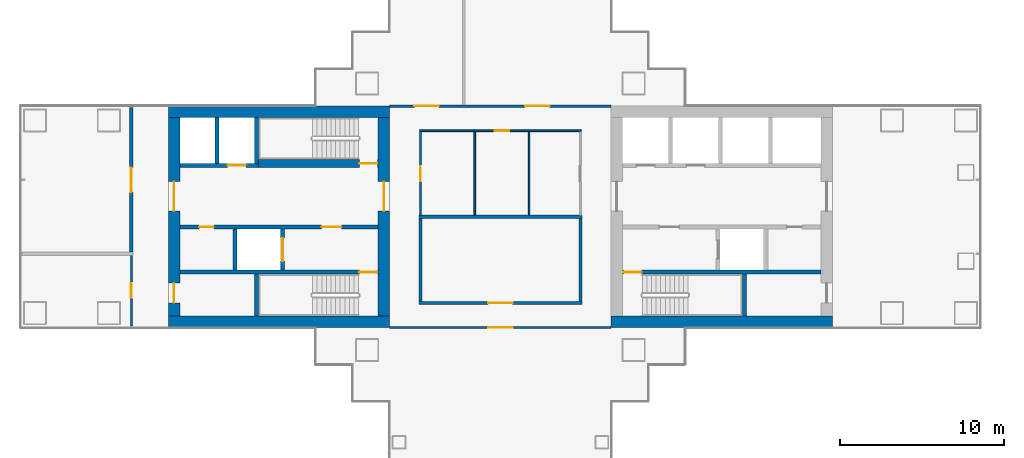
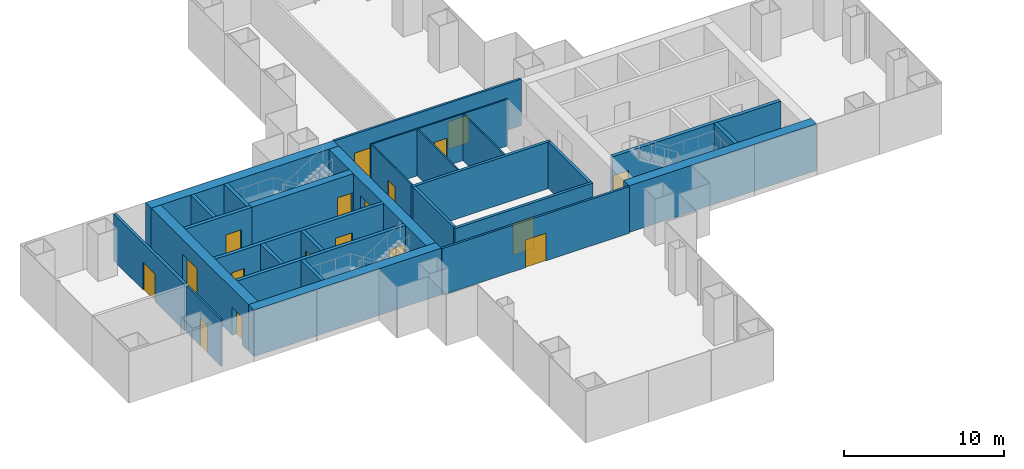
# One storey, part 14 of 22: 28 walls, 18 doors, 18 openings.
"""IFC4 building model written with IfcOpenShell, lengths in metres."""

from ifc_helpers import new_model, si_unit, direction, frame, frame_2d, origin, place, context, subcontext, project, spatial, rectangle, extrude, material, layer, layer_set, type_object, element, fill, save


model = new_model("IFC4")

# Units and contexts
model_context = context("Model", 3, precision=1e-05, world=origin(), true_north=direction((0.0, 1.0)))
body_context = subcontext(model_context, "Body", "Model", "MODEL_VIEW")
ifc_project = project(units=[si_unit("LENGTHUNIT", "METRE"), si_unit("AREAUNIT", "SQUARE_METRE"), si_unit("VOLUMEUNIT", "CUBIC_METRE"), si_unit("PLANEANGLEUNIT", "RADIAN"), si_unit("MASSUNIT", "GRAM", prefix="KILO")], contexts=[model_context])

# Site, building, storey
site_placement = place(None, origin())
site = spatial("IfcSite", under=ifc_project, at=site_placement, CompositionType="ELEMENT")
building_placement = place(site_placement, origin())
building = spatial("IfcBuilding", under=site, at=building_placement, Name="Shamsa Quay Exchange Towers", CompositionType="ELEMENT")
storey_placement = place(building_placement, frame((0.0, 0.0, 69.300048828125)))
storey = spatial("IfcBuildingStorey", under=building, at=storey_placement, Name="L15", CompositionType="ELEMENT", Elevation=69.300048828125)

# Wall, opening, door
ifc_material_1 = material(Name="Double-leaf gypsum board partition with acoustic insulation")
ifc_layer_1 = layer(ifc_material_1, 0.199951171875)
ifc_layer_set_1 = layer_set([ifc_layer_1], Name="Acoustic partition 200 mm EI 60")
wall_type_1 = type_object("IfcWallType", Name="Acoustic partition 200 mm EI 60", PredefinedType="PARTITIONING", material=ifc_layer_set_1)
wall_1_placement = place(storey_placement, frame((-38.72509765625, -5.25, 0.0)))
wall_1 = element("IfcWall", 1, at=wall_1_placement, inside=storey, type_object=wall_type_1, Name="Partition T1-R07-W01", PredefinedType="PARTITIONING", context=body_context, shape_type="SweptSolid", body=[
    extrude(rectangle(XDim=9.9501953125, YDim=0.199951171875, at=frame_2d((4.97509765625, 0.0))), origin(), (0.0, 0.0, 1.0), 3.550048828125),
])
opening_1_placement = place(wall_1_placement, frame((4.22509765625, 0.0, 0.0)))
opening_1 = element("IfcOpeningElement", 2, at=opening_1_placement, cuts=wall_1, Name="Opening T1-R07-D05", PredefinedType="OPENING", context=body_context, shape_type="SweptSolid", body=[
    extrude(rectangle(XDim=1.5, YDim=2.39990234375, at=frame_2d((0.75, 1.199951171875))), frame((0.0, 0.10986328125, 0.0), z_axis=(0.0, -1.0, 0.0), x_axis=(1.0, 0.0, 0.0)), (0.0, 0.0, 1.0), 0.219970703125),
])
ifc_material_2 = material(Name="Timber door leaf in a metal frame", Category="wood")
door_type_1 = type_object("IfcDoorType", Name="Door 1500x2400 FD30S pair", OperationType="NOTDEFINED", PredefinedType="DOOR", material=ifc_material_2)
door_1_placement = place(opening_1_placement, origin())
door_1 = element("IfcDoor", 3, at=door_1_placement, inside=storey, type_object=door_type_1, Name="Door T1-R07-D05", OperationType="DOUBLE_DOOR_SINGLE_SWING", OverallHeight=2.39990234375, OverallWidth=1.5, PredefinedType="DOOR", context=body_context, shape_type="SweptSolid", body=[
    extrude(rectangle(XDim=1.5, YDim=2.39990234375, at=frame_2d((0.75, 1.199951171875))), frame((0.0, 0.02490234375, 0.0), z_axis=(0.0, -1.0, 0.0), x_axis=(1.0, 0.0, 0.0)), (0.0, 0.0, 1.0), 0.050048828125),
])
fill(opening_1, door_1)

# Walls
for number, where, z_axis, x_axis, name in (
    (4, (-28.875, -5.14990234375, 0.0), (0.0, 0.0, 1.0), (0.0, 1.0, 0.0), "Partition T1-R07-W02"),
    (5, (-38.625, -0.10009765625, 0.0), (0.0, 0.0, 1.0), (0.0, -1.0, 0.0), "Partition T1-R07-W03"),
):
    element("IfcWall", number, at=place(storey_placement, frame(where, z_axis=z_axis, x_axis=x_axis)), inside=storey, type_object=wall_type_1, Name=name, PredefinedType="PARTITIONING", context=body_context, shape_type="SweptSolid", body=[
        extrude(rectangle(XDim=5.0498046875, YDim=0.199951171875, at=frame_2d((2.52490234375, 0.0))), origin(), (0.0, 0.0, 1.0), 3.550048828125),
    ])
wall_2_placement = place(storey_placement, frame((-28.77490234375, 0.0, 0.0), z_axis=(0.0, 0.0, 1.0), x_axis=(-1.0, 0.0, 0.0)))
element("IfcWall", 6, at=wall_2_placement, inside=storey, type_object=wall_type_1, Name="Partition T1-R07-W11", PredefinedType="PARTITIONING", context=body_context, shape_type="SweptSolid", body=[
    extrude(rectangle(XDim=9.9501953125, YDim=0.199951171875, at=frame_2d((4.97509765625, 0.0))), origin(), (0.0, 0.0, 1.0), 3.550048828125),
])
ifc_material_3 = material(Name="Concrete C80/95", Category="concrete")
ifc_layer_2 = layer(ifc_material_3, 0.699951171875)
ifc_layer_set_2 = layer_set([ifc_layer_2], Name="CORE WALL 700 C80/95")
wall_type_2 = type_object("IfcWallType", Name="CORE WALL 700 C80/95", PredefinedType="SHEAR", material=ifc_layer_set_2)
wall_3_placement = place(storey_placement, frame((-27.0, -6.39990234375, 0.0)))
element("IfcWall", 7, at=wall_3_placement, inside=storey, type_object=wall_type_2, Name="Core wall T1A-R07-PS", PredefinedType="SHEAR", context=body_context, shape_type="SweptSolid", body=[
    extrude(rectangle(XDim=13.5, YDim=0.699951171875, at=frame_2d((6.75, 0.0))), origin(), (0.0, 0.0, 1.0), 3.550048828125),
])
for number, where, z_axis, x_axis, name in (
    (8, (-40.5, -6.39990234375, 0.0), (0.0, 0.0, 1.0), (-1.0, 0.0, 0.0), "Core wall T1B-R07-PS"),
    (9, (-40.5, 6.39990234375, 0.0), (0.0, 0.0, 1.0), (-1.0, 0.0, 0.0), "Core wall T1B-R07-PN"),
):
    element("IfcWall", number, at=place(storey_placement, frame(where, z_axis=z_axis, x_axis=x_axis)), inside=storey, type_object=wall_type_2, Name=name, PredefinedType="SHEAR", context=body_context, shape_type="SweptSolid", body=[
        extrude(rectangle(XDim=13.5, YDim=0.699951171875, at=frame_2d((6.75, 0.0))), origin(), (0.0, 0.0, 1.0), 3.550048828125),
    ])

# Wall, opening, door
wall_4_placement = place(storey_placement, frame((-40.85009765625, -6.050048828125, 0.0), z_axis=(0.0, 0.0, 1.0), x_axis=(0.0, 1.0, 0.0)))
wall_4 = element("IfcWall", 10, at=wall_4_placement, inside=storey, type_object=wall_type_2, Name="Core wall T1B-R07-PF", PredefinedType="SHEAR", context=body_context, shape_type="SweptSolid", body=[
    extrude(rectangle(XDim=12.10009765625, YDim=0.699951171875, at=frame_2d((6.050048828125, 0.0))), origin(), (0.0, 0.0, 1.0), 3.550048828125),
])
opening_2_placement = place(wall_4_placement, frame((6.39990234375, 0.0, 0.0)))
opening_2 = element("IfcOpeningElement", 11, at=opening_2_placement, cuts=wall_4, Name="Opening T1B-R07-LBD01", PredefinedType="OPENING", context=body_context, shape_type="SweptSolid", body=[
    extrude(rectangle(XDim=1.800048828125, YDim=2.39990234375, at=frame_2d((0.89990234375, 1.199951171875))), frame((0.0, 0.35986328125, 0.0), z_axis=(0.0, -1.0, 0.0), x_axis=(1.0, 0.0, 0.0)), (0.0, 0.0, 1.0), 0.719970703125),
])
ifc_material_4 = material(Name="Steel, fire rated", Category="steel")
door_type_2 = type_object("IfcDoorType", Name="LIFT LOBBY DOOR PAIR 1800", OperationType="DOUBLE_DOOR_SINGLE_SWING", PredefinedType="DOOR", material=ifc_material_4)
door_2_placement = place(opening_2_placement, origin())
door_2 = element("IfcDoor", 12, at=door_2_placement, inside=storey, type_object=door_type_2, Name="T1B-R07-LBD01", OperationType="DOUBLE_DOOR_SINGLE_SWING", OverallHeight=2.39990234375, OverallWidth=1.800048828125, PredefinedType="DOOR", context=body_context, shape_type="SweptSolid", body=[
    extrude(rectangle(XDim=1.800048828125, YDim=2.39990234375, at=frame_2d((0.89990234375, 1.199951171875))), frame((0.0, 0.02490234375, 0.0), z_axis=(0.0, -1.0, 0.0), x_axis=(1.0, 0.0, 0.0)), (0.0, 0.0, 1.0), 0.050048828125),
])
fill(opening_2, door_2)

# Wall, openings, doors
wall_5_placement = place(storey_placement, frame((-53.64990234375, -6.050048828125, 0.0), z_axis=(0.0, 0.0, 1.0), x_axis=(0.0, 1.0, 0.0)))
wall_5 = element("IfcWall", 13, at=wall_5_placement, inside=storey, type_object=wall_type_2, Name="Core wall T1B-R07-PB", PredefinedType="SHEAR", context=body_context, shape_type="SweptSolid", body=[
    extrude(rectangle(XDim=12.10009765625, YDim=0.699951171875, at=frame_2d((6.050048828125, 0.0))), origin(), (0.0, 0.0, 1.0), 3.550048828125),
])
opening_3_placement = place(wall_5_placement, frame((0.800048828125, 0.0, 0.0)))
opening_3 = element("IfcOpeningElement", 14, at=opening_3_placement, cuts=wall_5, Name="Opening T1B-R07-RD02", PredefinedType="OPENING", context=body_context, shape_type="SweptSolid", body=[
    extrude(rectangle(XDim=1.199951171875, YDim=2.10009765625, at=frame_2d((0.60009765625, 1.050048828125))), frame((0.0, 0.35986328125, 0.0), z_axis=(0.0, -1.0, 0.0), x_axis=(1.0, 0.0, 0.0)), (0.0, 0.0, 1.0), 0.719970703125),
])
opening_4_placement = place(wall_5_placement, frame((6.39990234375, 0.0, 0.0)))
opening_4 = element("IfcOpeningElement", 15, at=opening_4_placement, cuts=wall_5, Name="Opening T1B-R07-LBD03", PredefinedType="OPENING", context=body_context, shape_type="SweptSolid", body=[
    extrude(rectangle(XDim=1.800048828125, YDim=2.39990234375, at=frame_2d((0.89990234375, 1.199951171875))), frame((0.0, 0.35986328125, 0.0), z_axis=(0.0, -1.0, 0.0), x_axis=(1.0, 0.0, 0.0)), (0.0, 0.0, 1.0), 0.719970703125),
])
door_3_placement = place(opening_4_placement, origin())
door_3 = element("IfcDoor", 16, at=door_3_placement, inside=storey, type_object=door_type_2, Name="T1B-R07-LBD03", OperationType="DOUBLE_DOOR_SINGLE_SWING", OverallHeight=2.39990234375, OverallWidth=1.800048828125, PredefinedType="DOOR", context=body_context, shape_type="SweptSolid", body=[
    extrude(rectangle(XDim=1.800048828125, YDim=2.39990234375, at=frame_2d((0.89990234375, 1.199951171875))), frame((0.0, 0.02490234375, 0.0), z_axis=(0.0, -1.0, 0.0), x_axis=(1.0, 0.0, 0.0)), (0.0, 0.0, 1.0), 0.050048828125),
])
fill(opening_4, door_3)
door_type_3 = type_object("IfcDoorType", Name="RISER ACCESS DOOR 1200", OperationType="SINGLE_SWING_LEFT", PredefinedType="DOOR", material=ifc_material_4)
door_4_placement = place(opening_3_placement, origin())
door_4 = element("IfcDoor", 17, at=door_4_placement, inside=storey, type_object=door_type_3, Name="T1B-R07-RD02", OperationType="SINGLE_SWING_LEFT", OverallHeight=2.10009765625, OverallWidth=1.199951171875, PredefinedType="DOOR", context=body_context, shape_type="SweptSolid", body=[
    extrude(rectangle(XDim=1.199951171875, YDim=2.10009765625, at=frame_2d((0.60009765625, 1.050048828125))), frame((0.0, 0.02490234375, 0.0), z_axis=(0.0, -1.0, 0.0), x_axis=(1.0, 0.0, 0.0)), (0.0, 0.0, 1.0), 0.050048828125),
])
fill(opening_3, door_4)

# Wall, opening, door
ifc_material_5 = material(Name="Laminated fire-resisting glass in a metal frame", Category="glass")
ifc_layer_3 = layer(ifc_material_5, 0.125)
ifc_layer_set_3 = layer_set([ifc_layer_3], Name="Glazed partition 125 mm EI 60")
wall_type_3 = type_object("IfcWallType", Name="Glazed partition 125 mm EI 60", PredefinedType="PARTITIONING", material=ifc_layer_set_3)
wall_6_placement = place(storey_placement, frame((-56.25, -6.655029296875, 0.0), z_axis=(0.0, 0.0, 1.0), x_axis=(0.0, 1.0, 0.0)))
wall_6 = element("IfcWall", 18, at=wall_6_placement, inside=storey, type_object=wall_type_3, Name="Partition T1-R07-W09", PredefinedType="PARTITIONING", context=body_context, shape_type="SweptSolid", body=[
    extrude(rectangle(XDim=4.304931640625, YDim=0.125, at=frame_2d((2.15234375, 0.0))), origin(), (0.0, 0.0, 1.0), 3.550048828125),
])
opening_5_placement = place(wall_6_placement, frame((1.705078125, 0.0, 0.0)))
opening_5 = element("IfcOpeningElement", 19, at=opening_5_placement, cuts=wall_6, Name="Opening T1-R07-D01", PredefinedType="OPENING", context=body_context, shape_type="SweptSolid", body=[
    extrude(rectangle(XDim=0.89990234375, YDim=2.10009765625, at=frame_2d((0.449951171875, 1.050048828125))), frame((0.0, 0.072509765625, 0.0), z_axis=(0.0, -1.0, 0.0), x_axis=(1.0, 0.0, 0.0)), (0.0, 0.0, 1.0), 0.14501953125),
])
door_type_4 = type_object("IfcDoorType", Name="Door 900x2100 FD30S", OperationType="NOTDEFINED", PredefinedType="DOOR", material=ifc_material_2)
door_5_placement = place(opening_5_placement, origin())
door_5 = element("IfcDoor", 20, at=door_5_placement, inside=storey, type_object=door_type_4, Name="Door T1-R07-D01", OperationType="SINGLE_SWING_RIGHT", OverallHeight=2.10009765625, OverallWidth=0.89990234375, PredefinedType="DOOR", context=body_context, shape_type="SweptSolid", body=[
    extrude(rectangle(XDim=0.89990234375, YDim=2.10009765625, at=frame_2d((0.449951171875, 1.050048828125))), frame((0.0, 0.02490234375, 0.0), z_axis=(0.0, -1.0, 0.0), x_axis=(1.0, 0.0, 0.0)), (0.0, 0.0, 1.0), 0.050048828125),
])
fill(opening_5, door_5)

ifc_material_6 = material(Name="Gypsum board partition on metal studs")
ifc_layer_4 = layer(ifc_material_6, 0.10009765625)
ifc_layer_set_4 = layer_set([ifc_layer_4], Name="Partition 100 mm NOT RATED")
wall_type_4 = type_object("IfcWallType", Name="Partition 100 mm NOT RATED", PredefinedType="PARTITIONING", material=ifc_layer_set_4)
wall_7_placement = place(storey_placement, frame((-28.824951171875, 5.25, 0.0), z_axis=(0.0, 0.0, 1.0), x_axis=(-1.0, 0.0, 0.0)))
wall_7 = element("IfcWall", 21, at=wall_7_placement, inside=storey, type_object=wall_type_4, Name="Partition T1-R07-W04", PredefinedType="PARTITIONING", context=body_context, shape_type="SweptSolid", body=[
    extrude(rectangle(XDim=9.85009765625, YDim=0.10009765625, at=frame_2d((4.925048828125, 0.0))), origin(), (0.0, 0.0, 1.0), 3.550048828125),
])
opening_6_placement = place(wall_7_placement, frame((4.381103515625, 0.0, 0.0)))
opening_6 = element("IfcOpeningElement", 22, at=opening_6_placement, cuts=wall_7, Name="Opening T1-R07-D08", PredefinedType="OPENING", context=body_context, shape_type="SweptSolid", body=[
    extrude(rectangle(XDim=0.89990234375, YDim=2.10009765625, at=frame_2d((0.449951171875, 1.050048828125))), frame((0.0, 0.06005859375, 0.0), z_axis=(0.0, -1.0, 0.0), x_axis=(1.0, 0.0, 0.0)), (0.0, 0.0, 1.0), 0.1201171875),
])
door_type_5 = type_object("IfcDoorType", Name="Door 900x2100 NOT RATED", OperationType="NOTDEFINED", PredefinedType="DOOR", material=ifc_material_2)
door_6_placement = place(opening_6_placement, origin())
door_6 = element("IfcDoor", 23, at=door_6_placement, inside=storey, type_object=door_type_5, Name="Door T1-R07-D08", OperationType="SINGLE_SWING_RIGHT", OverallHeight=2.10009765625, OverallWidth=0.89990234375, PredefinedType="DOOR", context=body_context, shape_type="SweptSolid", body=[
    extrude(rectangle(XDim=0.89990234375, YDim=2.10009765625, at=frame_2d((0.449951171875, 1.050048828125))), frame((0.0, 0.02490234375, 0.0), z_axis=(0.0, -1.0, 0.0), x_axis=(1.0, 0.0, 0.0)), (0.0, 0.0, 1.0), 0.050048828125),
])
fill(opening_6, door_6)

wall_8_placement = place(storey_placement, frame((-38.625, 5.199951171875, 0.0), z_axis=(0.0, 0.0, 1.0), x_axis=(0.0, -1.0, 0.0)))
wall_8 = element("IfcWall", 24, at=wall_8_placement, inside=storey, type_object=wall_type_4, Name="Partition T1-R07-W05", PredefinedType="PARTITIONING", context=body_context, shape_type="SweptSolid", body=[
    extrude(rectangle(XDim=5.099853515625, YDim=0.10009765625, at=frame_2d((2.5498046875, 0.0))), origin(), (0.0, 0.0, 1.0), 3.550048828125),
])
opening_7_placement = place(wall_8_placement, frame((2.125, 0.0, 0.0)))
opening_7 = element("IfcOpeningElement", 25, at=opening_7_placement, cuts=wall_8, Name="Opening T1-R07-D06", PredefinedType="OPENING", context=body_context, shape_type="SweptSolid", body=[
    extrude(rectangle(XDim=0.89990234375, YDim=2.10009765625, at=frame_2d((0.449951171875, 1.050048828125))), frame((0.0, 0.06005859375, 0.0), z_axis=(0.0, -1.0, 0.0), x_axis=(1.0, 0.0, 0.0)), (0.0, 0.0, 1.0), 0.1201171875),
])
door_7_placement = place(opening_7_placement, origin())
door_7 = element("IfcDoor", 26, at=door_7_placement, inside=storey, type_object=door_type_5, Name="Door T1-R07-D06", OperationType="SINGLE_SWING_LEFT", OverallHeight=2.10009765625, OverallWidth=0.89990234375, PredefinedType="DOOR", context=body_context, shape_type="SweptSolid", body=[
    extrude(rectangle(XDim=0.89990234375, YDim=2.10009765625, at=frame_2d((0.449951171875, 1.050048828125))), frame((0.0, 0.02490234375, 0.0), z_axis=(0.0, -1.0, 0.0), x_axis=(1.0, 0.0, 0.0)), (0.0, 0.0, 1.0), 0.050048828125),
])
fill(opening_7, door_7)

# Walls
for number, where, z_axis, x_axis, name in (
    (27, (-35.3125, 0.10009765625, 0.0), (0.0, 0.0, 1.0), (0.0, 1.0, 0.0), "Partition T1-R07-W12"),
    (28, (-32.0, 0.10009765625, 0.0), (0.0, 0.0, 1.0), (0.0, 1.0, 0.0), "Partition T1-R07-W13"),
):
    element("IfcWall", number, at=place(storey_placement, frame(where, z_axis=z_axis, x_axis=x_axis)), inside=storey, type_object=wall_type_4, Name=name, PredefinedType="PARTITIONING", context=body_context, shape_type="SweptSolid", body=[
        extrude(rectangle(XDim=5.099853515625, YDim=0.10009765625, at=frame_2d((2.5498046875, 0.0))), origin(), (0.0, 0.0, 1.0), 3.550048828125),
    ])

# Wall, openings, doors
ifc_layer_5 = layer(ifc_material_6, 0.14990234375)
ifc_layer_set_5 = layer_set([ifc_layer_5], Name="Partition 150 mm EI 60")
wall_type_5 = type_object("IfcWallType", Name="Partition 150 mm EI 60", PredefinedType="PARTITIONING", material=ifc_layer_set_5)
wall_9_placement = place(storey_placement, frame((-40.5, 6.75, 0.0)))
wall_9 = element("IfcWall", 29, at=wall_9_placement, inside=storey, type_object=wall_type_5, Name="Partition T1-R07-W07", PredefinedType="PARTITIONING", context=body_context, shape_type="SweptSolid", body=[
    extrude(rectangle(XDim=13.5, YDim=0.14990234375, at=frame_2d((6.75, 0.0))), origin(), (0.0, 0.0, 1.0), 3.550048828125),
])
opening_8_placement = place(wall_9_placement, frame((1.5, 0.0, 0.0)))
opening_8 = element("IfcOpeningElement", 30, at=opening_8_placement, cuts=wall_9, Name="Opening T1-R07-D03", PredefinedType="OPENING", context=body_context, shape_type="SweptSolid", body=[
    extrude(rectangle(XDim=1.5, YDim=2.10009765625, at=frame_2d((0.75, 1.050048828125))), frame((0.0, 0.0849609375, 0.0), z_axis=(0.0, -1.0, 0.0), x_axis=(1.0, 0.0, 0.0)), (0.0, 0.0, 1.0), 0.169921875),
])
opening_9_placement = place(wall_9_placement, frame((8.25, 0.0, 0.0)))
opening_9 = element("IfcOpeningElement", 31, at=opening_9_placement, cuts=wall_9, Name="Opening T1-R07-D04", PredefinedType="OPENING", context=body_context, shape_type="SweptSolid", body=[
    extrude(rectangle(XDim=1.5, YDim=2.10009765625, at=frame_2d((0.75, 1.050048828125))), frame((0.0, 0.0849609375, 0.0), z_axis=(0.0, -1.0, 0.0), x_axis=(1.0, 0.0, 0.0)), (0.0, 0.0, 1.0), 0.169921875),
])
door_type_6 = type_object("IfcDoorType", Name="Door 1500x2100 FD30S pair", OperationType="NOTDEFINED", PredefinedType="DOOR", material=ifc_material_2)
door_8_placement = place(opening_8_placement, origin())
door_8 = element("IfcDoor", 32, at=door_8_placement, inside=storey, type_object=door_type_6, Name="Door T1-R07-D03", OperationType="DOUBLE_DOOR_SINGLE_SWING", OverallHeight=2.10009765625, OverallWidth=1.5, PredefinedType="DOOR", context=body_context, shape_type="SweptSolid", body=[
    extrude(rectangle(XDim=1.5, YDim=2.10009765625, at=frame_2d((0.75, 1.050048828125))), frame((0.0, 0.02490234375, 0.0), z_axis=(0.0, -1.0, 0.0), x_axis=(1.0, 0.0, 0.0)), (0.0, 0.0, 1.0), 0.050048828125),
])
fill(opening_8, door_8)
door_9_placement = place(opening_9_placement, origin())
door_9 = element("IfcDoor", 33, at=door_9_placement, inside=storey, type_object=door_type_6, Name="Door T1-R07-D04", OperationType="DOUBLE_DOOR_SINGLE_SWING", OverallHeight=2.10009765625, OverallWidth=1.5, PredefinedType="DOOR", context=body_context, shape_type="SweptSolid", body=[
    extrude(rectangle(XDim=1.5, YDim=2.10009765625, at=frame_2d((0.75, 1.050048828125))), frame((0.0, 0.02490234375, 0.0), z_axis=(0.0, -1.0, 0.0), x_axis=(1.0, 0.0, 0.0)), (0.0, 0.0, 1.0), 0.050048828125),
])
fill(opening_9, door_9)

# Wall, opening, door
wall_10_placement = place(storey_placement, frame((-27.0, -6.75, 0.0), z_axis=(0.0, 0.0, 1.0), x_axis=(-1.0, 0.0, 0.0)))
wall_10 = element("IfcWall", 34, at=wall_10_placement, inside=storey, type_object=wall_type_5, Name="Partition T1-R07-W08", PredefinedType="PARTITIONING", context=body_context, shape_type="SweptSolid", body=[
    extrude(rectangle(XDim=13.5, YDim=0.14990234375, at=frame_2d((6.75, 0.0))), origin(), (0.0, 0.0, 1.0), 3.550048828125),
])
opening_10_placement = place(wall_10_placement, frame((6.0, 0.0, 0.0)))
opening_10 = element("IfcOpeningElement", 35, at=opening_10_placement, cuts=wall_10, Name="Opening T1-R07-D09", PredefinedType="OPENING", context=body_context, shape_type="SweptSolid", body=[
    extrude(rectangle(XDim=1.5, YDim=2.10009765625, at=frame_2d((0.75, 1.050048828125))), frame((0.0, 0.0849609375, 0.0), z_axis=(0.0, -1.0, 0.0), x_axis=(1.0, 0.0, 0.0)), (0.0, 0.0, 1.0), 0.169921875),
])
door_10_placement = place(opening_10_placement, origin())
door_10 = element("IfcDoor", 36, at=door_10_placement, inside=storey, type_object=door_type_6, Name="Door T1-R07-D09", OperationType="DOUBLE_DOOR_SINGLE_SWING", OverallHeight=2.10009765625, OverallWidth=1.5, PredefinedType="DOOR", context=body_context, shape_type="SweptSolid", body=[
    extrude(rectangle(XDim=1.5, YDim=2.10009765625, at=frame_2d((0.75, 1.050048828125))), frame((0.0, 0.02490234375, 0.0), z_axis=(0.0, -1.0, 0.0), x_axis=(1.0, 0.0, 0.0)), (0.0, 0.0, 1.0), 0.050048828125),
])
fill(opening_10, door_10)

ifc_layer_6 = layer(ifc_material_6, 0.199951171875)
ifc_layer_set_6 = layer_set([ifc_layer_6], Name="Partition 200 mm EI 90")
wall_type_6 = type_object("IfcWallType", Name="Partition 200 mm EI 90", PredefinedType="PARTITIONING", material=ifc_layer_set_6)
wall_11_placement = place(storey_placement, frame((-56.25, -2.14990234375, 0.0), z_axis=(0.0, 0.0, 1.0), x_axis=(0.0, 1.0, 0.0)))
wall_11 = element("IfcWall", 37, at=wall_11_placement, inside=storey, type_object=wall_type_6, Name="Partition T1-R07-W10", PredefinedType="PARTITIONING", context=body_context, shape_type="SweptSolid", body=[
    extrude(rectangle(XDim=8.804931640625, YDim=0.199951171875, at=frame_2d((4.40234375, 0.0))), origin(), (0.0, 0.0, 1.0), 3.550048828125),
])
opening_11_placement = place(wall_11_placement, frame((3.64990234375, 0.0, 0.0)))
opening_11 = element("IfcOpeningElement", 38, at=opening_11_placement, cuts=wall_11, Name="Opening T1-R07-D02", PredefinedType="OPENING", context=body_context, shape_type="SweptSolid", body=[
    extrude(rectangle(XDim=1.5, YDim=2.10009765625, at=frame_2d((0.75, 1.050048828125))), frame((0.0, 0.10986328125, 0.0), z_axis=(0.0, -1.0, 0.0), x_axis=(1.0, 0.0, 0.0)), (0.0, 0.0, 1.0), 0.219970703125),
])
door_11_placement = place(opening_11_placement, origin())
door_11 = element("IfcDoor", 39, at=door_11_placement, inside=storey, type_object=door_type_6, Name="Door T1-R07-D02", OperationType="DOUBLE_DOOR_SINGLE_SWING", OverallHeight=2.10009765625, OverallWidth=1.5, PredefinedType="DOOR", context=body_context, shape_type="SweptSolid", body=[
    extrude(rectangle(XDim=1.5, YDim=2.10009765625, at=frame_2d((0.75, 1.050048828125))), frame((0.0, 0.02490234375, 0.0), z_axis=(0.0, -1.0, 0.0), x_axis=(1.0, 0.0, 0.0)), (0.0, 0.0, 1.0), 0.050048828125),
])
fill(opening_11, door_11)

ifc_material_7 = material(Name="Concrete C50/60", Category="concrete")
ifc_layer_7 = layer(ifc_material_7, 0.25)
ifc_layer_set_7 = layer_set([ifc_layer_7], Name="SHAFT WALL 250 C50/60")
wall_type_7 = type_object("IfcWallType", Name="SHAFT WALL 250 C50/60", PredefinedType="SHEAR", material=ifc_layer_set_7)
wall_12_placement = place(storey_placement, frame((-14.199951171875, -3.375, 0.0), z_axis=(0.0, 0.0, 1.0), x_axis=(-1.0, 0.0, 0.0)))
wall_12 = element("IfcWall", 40, at=wall_12_placement, inside=storey, type_object=wall_type_7, Name="Shaft wall T1A-R07-STL", PredefinedType="SHEAR", context=body_context, shape_type="SweptSolid", body=[
    extrude(rectangle(XDim=12.10009765625, YDim=0.25, at=frame_2d((6.050048828125, 0.0))), origin(), (0.0, 0.0, 1.0), 3.550048828125),
])
opening_12_placement = place(wall_12_placement, frame((10.949951171875, 0.0, 0.0)))
opening_12 = element("IfcOpeningElement", 41, at=opening_12_placement, cuts=wall_12, Name="Opening T1A-R07-SD04", PredefinedType="OPENING", context=body_context, shape_type="SweptSolid", body=[
    extrude(rectangle(XDim=1.10009765625, YDim=2.10009765625, at=frame_2d((0.550048828125, 1.050048828125))), frame((0.0, 0.135009765625, 0.0), z_axis=(0.0, -1.0, 0.0), x_axis=(1.0, 0.0, 0.0)), (0.0, 0.0, 1.0), 0.27001953125),
])
door_type_7 = type_object("IfcDoorType", Name="STAIR DOOR 1100", OperationType="SINGLE_SWING_LEFT", PredefinedType="DOOR", material=ifc_material_4)
door_12_placement = place(opening_12_placement, origin())
door_12 = element("IfcDoor", 42, at=door_12_placement, inside=storey, type_object=door_type_7, Name="T1A-R07-SD04", OperationType="SINGLE_SWING_RIGHT", OverallHeight=2.10009765625, OverallWidth=1.10009765625, PredefinedType="DOOR", context=body_context, shape_type="SweptSolid", body=[
    extrude(rectangle(XDim=1.10009765625, YDim=2.10009765625, at=frame_2d((0.550048828125, 1.050048828125))), frame((0.0, 0.02490234375, 0.0), z_axis=(0.0, -1.0, 0.0), x_axis=(1.0, 0.0, 0.0)), (0.0, 0.0, 1.0), 0.050048828125),
])
fill(opening_12, door_12)

# Wall
wall_13_placement = place(storey_placement, frame((-18.875, -6.050048828125, 0.0), z_axis=(0.0, 0.0, 1.0), x_axis=(0.0, 1.0, 0.0)))
element("IfcWall", 43, at=wall_13_placement, inside=storey, type_object=wall_type_7, Name="Shaft wall T1A-R07-STF", PredefinedType="SHEAR", context=body_context, shape_type="SweptSolid", body=[
    extrude(rectangle(XDim=2.550048828125, YDim=0.25, at=frame_2d((1.27490234375, 0.0))), origin(), (0.0, 0.0, 1.0), 3.550048828125),
])

# Wall, opening, door
wall_14_placement = place(storey_placement, frame((-41.199951171875, -3.375, 0.0), z_axis=(0.0, 0.0, 1.0), x_axis=(-1.0, 0.0, 0.0)))
wall_14 = element("IfcWall", 44, at=wall_14_placement, inside=storey, type_object=wall_type_7, Name="Shaft wall T1B-R07-STL", PredefinedType="SHEAR", context=body_context, shape_type="SweptSolid", body=[
    extrude(rectangle(XDim=12.10009765625, YDim=0.25, at=frame_2d((6.050048828125, 0.0))), origin(), (0.0, 0.0, 1.0), 3.550048828125),
])
opening_13_placement = place(wall_14_placement, frame((0.050048828125, 0.0, 0.0)))
opening_13 = element("IfcOpeningElement", 45, at=opening_13_placement, cuts=wall_14, Name="Opening T1B-R07-SD04", PredefinedType="OPENING", context=body_context, shape_type="SweptSolid", body=[
    extrude(rectangle(XDim=1.10009765625, YDim=2.10009765625, at=frame_2d((0.550048828125, 1.050048828125))), frame((0.0, 0.135009765625, 0.0), z_axis=(0.0, -1.0, 0.0), x_axis=(1.0, 0.0, 0.0)), (0.0, 0.0, 1.0), 0.27001953125),
])
door_13_placement = place(opening_13_placement, origin())
door_13 = element("IfcDoor", 46, at=door_13_placement, inside=storey, type_object=door_type_7, Name="T1B-R07-SD04", OperationType="SINGLE_SWING_LEFT", OverallHeight=2.10009765625, OverallWidth=1.10009765625, PredefinedType="DOOR", context=body_context, shape_type="SweptSolid", body=[
    extrude(rectangle(XDim=1.10009765625, YDim=2.10009765625, at=frame_2d((0.550048828125, 1.050048828125))), frame((0.0, 0.02490234375, 0.0), z_axis=(0.0, -1.0, 0.0), x_axis=(1.0, 0.0, 0.0)), (0.0, 0.0, 1.0), 0.050048828125),
])
fill(opening_13, door_13)

# Wall
wall_15_placement = place(storey_placement, frame((-48.625, -6.050048828125, 0.0), z_axis=(0.0, 0.0, 1.0), x_axis=(0.0, 1.0, 0.0)))
element("IfcWall", 47, at=wall_15_placement, inside=storey, type_object=wall_type_7, Name="Shaft wall T1B-R07-STF", PredefinedType="SHEAR", context=body_context, shape_type="SweptSolid", body=[
    extrude(rectangle(XDim=2.550048828125, YDim=0.25, at=frame_2d((1.27490234375, 0.0))), origin(), (0.0, 0.0, 1.0), 3.550048828125),
])

# Wall, openings, doors
wall_16_placement = place(storey_placement, frame((-41.199951171875, -0.625, 0.0), z_axis=(0.0, 0.0, 1.0), x_axis=(-1.0, 0.0, 0.0)))
wall_16 = element("IfcWall", 48, at=wall_16_placement, inside=storey, type_object=wall_type_7, Name="Shaft wall T1B-R07-B", PredefinedType="SHEAR", context=body_context, shape_type="SweptSolid", body=[
    extrude(rectangle(XDim=12.10009765625, YDim=0.25, at=frame_2d((6.050048828125, 0.0))), origin(), (0.0, 0.0, 1.0), 3.550048828125),
])
opening_14_placement = place(wall_16_placement, frame((2.25, 0.0, 0.0)))
opening_14 = element("IfcOpeningElement", 49, at=opening_14_placement, cuts=wall_16, Name="Opening T1B-R07-FD05", PredefinedType="OPENING", context=body_context, shape_type="SweptSolid", body=[
    extrude(rectangle(XDim=1.199951171875, YDim=2.10009765625, at=frame_2d((0.60009765625, 1.050048828125))), frame((0.0, 0.135009765625, 0.0), z_axis=(0.0, -1.0, 0.0), x_axis=(1.0, 0.0, 0.0)), (0.0, 0.0, 1.0), 0.27001953125),
])
opening_15_placement = place(wall_16_placement, frame((10.02490234375, 0.0, 0.0)))
opening_15 = element("IfcOpeningElement", 50, at=opening_15_placement, cuts=wall_16, Name="Opening T1B-R07-SV06", PredefinedType="OPENING", context=body_context, shape_type="SweptSolid", body=[
    extrude(rectangle(XDim=0.89990234375, YDim=2.10009765625, at=frame_2d((0.449951171875, 1.050048828125))), frame((0.0, 0.135009765625, 0.0), z_axis=(0.0, -1.0, 0.0), x_axis=(1.0, 0.0, 0.0)), (0.0, 0.0, 1.0), 0.27001953125),
])
door_type_8 = type_object("IfcDoorType", Name="FIRE SERVICE LOBBY DOOR 1200", OperationType="SINGLE_SWING_LEFT", PredefinedType="DOOR", material=ifc_material_4)
door_14_placement = place(opening_14_placement, origin())
door_14 = element("IfcDoor", 51, at=door_14_placement, inside=storey, type_object=door_type_8, Name="T1B-R07-FD05", OperationType="SINGLE_SWING_LEFT", OverallHeight=2.10009765625, OverallWidth=1.199951171875, PredefinedType="DOOR", context=body_context, shape_type="SweptSolid", body=[
    extrude(rectangle(XDim=1.199951171875, YDim=2.10009765625, at=frame_2d((0.60009765625, 1.050048828125))), frame((0.0, 0.02490234375, 0.0), z_axis=(0.0, -1.0, 0.0), x_axis=(1.0, 0.0, 0.0)), (0.0, 0.0, 1.0), 0.050048828125),
])
fill(opening_14, door_14)
door_type_9 = type_object("IfcDoorType", Name="SERVICE ROOM DOOR 900", OperationType="SINGLE_SWING_LEFT", PredefinedType="DOOR", material=ifc_material_4)
door_15_placement = place(opening_15_placement, origin())
door_15 = element("IfcDoor", 52, at=door_15_placement, inside=storey, type_object=door_type_9, Name="T1B-R07-SV06", OperationType="SINGLE_SWING_RIGHT", OverallHeight=2.10009765625, OverallWidth=0.89990234375, PredefinedType="DOOR", context=body_context, shape_type="SweptSolid", body=[
    extrude(rectangle(XDim=0.89990234375, YDim=2.10009765625, at=frame_2d((0.449951171875, 1.050048828125))), frame((0.0, 0.02490234375, 0.0), z_axis=(0.0, -1.0, 0.0), x_axis=(1.0, 0.0, 0.0)), (0.0, 0.0, 1.0), 0.050048828125),
])
fill(opening_15, door_15)

# Wall, opening, door
wall_17_placement = place(storey_placement, frame((-47.02490234375, -3.25, 0.0), z_axis=(0.0, 0.0, 1.0), x_axis=(0.0, 1.0, 0.0)))
wall_17 = element("IfcWall", 53, at=wall_17_placement, inside=storey, type_object=wall_type_7, Name="Shaft wall T1B-R07-FFF", PredefinedType="SHEAR", context=body_context, shape_type="SweptSolid", body=[
    extrude(rectangle(XDim=2.5, YDim=0.25, at=frame_2d((1.25, 0.0))), origin(), (0.0, 0.0, 1.0), 3.550048828125),
])
opening_16_placement = place(wall_17_placement, frame((0.550048828125, 0.0, 0.0)))
opening_16 = element("IfcOpeningElement", 54, at=opening_16_placement, cuts=wall_17, Name="Opening T1B-R07-LDG07", PredefinedType="OPENING", context=body_context, shape_type="SweptSolid", body=[
    extrude(rectangle(XDim=1.39990234375, YDim=2.39990234375, at=frame_2d((0.699951171875, 1.199951171875))), frame((0.0, 0.135009765625, 0.0), z_axis=(0.0, -1.0, 0.0), x_axis=(1.0, 0.0, 0.0)), (0.0, 0.0, 1.0), 0.27001953125),
])
door_type_10 = type_object("IfcDoorType", Name="GOODS LIFT LANDING DOOR 1400", OperationType="SLIDING_TO_LEFT", PredefinedType="DOOR", material=ifc_material_4)
door_16_placement = place(opening_16_placement, origin())
door_16 = element("IfcDoor", 55, at=door_16_placement, inside=storey, type_object=door_type_10, Name="T1B-R07-LDG07", OperationType="SLIDING_TO_LEFT", OverallHeight=2.39990234375, OverallWidth=1.39990234375, PredefinedType="DOOR", context=body_context, shape_type="SweptSolid", body=[
    extrude(rectangle(XDim=1.39990234375, YDim=2.39990234375, at=frame_2d((0.699951171875, 1.199951171875))), frame((0.0, 0.02490234375, 0.0), z_axis=(0.0, -1.0, 0.0), x_axis=(1.0, 0.0, 0.0)), (0.0, 0.0, 1.0), 0.050048828125),
])
fill(opening_16, door_16)

# Wall
wall_18_placement = place(storey_placement, frame((-49.925048828125, -3.25, 0.0), z_axis=(0.0, 0.0, 1.0), x_axis=(0.0, 1.0, 0.0)))
element("IfcWall", 56, at=wall_18_placement, inside=storey, type_object=wall_type_7, Name="Shaft wall T1B-R07-FFB", PredefinedType="SHEAR", context=body_context, shape_type="SweptSolid", body=[
    extrude(rectangle(XDim=2.5, YDim=0.25, at=frame_2d((1.25, 0.0))), origin(), (0.0, 0.0, 1.0), 3.550048828125),
])

# Wall, opening, door
wall_19_placement = place(storey_placement, frame((-48.5, 3.125, 0.0), z_axis=(0.0, 0.0, 1.0), x_axis=(-1.0, 0.0, 0.0)))
wall_19 = element("IfcWall", 57, at=wall_19_placement, inside=storey, type_object=wall_type_7, Name="Shaft wall T1B-R07-N2", PredefinedType="SHEAR", context=body_context, shape_type="SweptSolid", body=[
    extrude(rectangle(XDim=4.800048828125, YDim=0.25, at=frame_2d((2.39990234375, 0.0))), origin(), (0.0, 0.0, 1.0), 3.550048828125),
])
opening_17_placement = place(wall_19_placement, frame((0.77490234375, 0.0, 0.0)))
opening_17 = element("IfcOpeningElement", 58, at=opening_17_placement, cuts=wall_19, Name="Opening T1B-R07-LD09", PredefinedType="OPENING", context=body_context, shape_type="SweptSolid", body=[
    extrude(rectangle(XDim=1.10009765625, YDim=2.10009765625, at=frame_2d((0.550048828125, 1.050048828125))), frame((0.0, 0.135009765625, 0.0), z_axis=(0.0, -1.0, 0.0), x_axis=(1.0, 0.0, 0.0)), (0.0, 0.0, 1.0), 0.27001953125),
])
door_type_11 = type_object("IfcDoorType", Name="LANDING DOOR 1100", OperationType="SLIDING_TO_LEFT", PredefinedType="DOOR", material=ifc_material_4)
door_17_placement = place(opening_17_placement, origin())
door_17 = element("IfcDoor", 59, at=door_17_placement, inside=storey, type_object=door_type_11, Name="T1B-R07-LD09", OperationType="SLIDING_TO_LEFT", OverallHeight=2.10009765625, OverallWidth=1.10009765625, PredefinedType="DOOR", context=body_context, shape_type="SweptSolid", body=[
    extrude(rectangle(XDim=1.10009765625, YDim=2.10009765625, at=frame_2d((0.550048828125, 1.050048828125))), frame((0.0, 0.02490234375, 0.0), z_axis=(0.0, -1.0, 0.0), x_axis=(1.0, 0.0, 0.0)), (0.0, 0.0, 1.0), 0.050048828125),
])
fill(opening_17, door_17)

# Walls
for number, where, z_axis, x_axis, name in (
    (60, (-48.625, 3.25, 0.0), (0.0, 0.0, 1.0), (0.0, 1.0, 0.0), "Shaft wall T1B-R07-STF2"),
    (61, (-51.02490234375, 3.25, 0.0), (0.0, 0.0, 1.0), (0.0, 1.0, 0.0), "Shaft wall T1B-R07-D0"),
):
    element("IfcWall", number, at=place(storey_placement, frame(where, z_axis=z_axis, x_axis=x_axis)), inside=storey, type_object=wall_type_7, Name=name, PredefinedType="SHEAR", context=body_context, shape_type="SweptSolid", body=[
        extrude(rectangle(XDim=2.800048828125, YDim=0.25, at=frame_2d((1.39990234375, 0.0))), origin(), (0.0, 0.0, 1.0), 3.550048828125),
    ])

# Wall, opening, door
ifc_layer_8 = layer(ifc_material_7, 0.5)
ifc_layer_set_8 = layer_set([ifc_layer_8], Name="SHAFT WALL 500 C50/60")
wall_type_8 = type_object("IfcWallType", Name="SHAFT WALL 500 C50/60", PredefinedType="SHEAR", material=ifc_layer_set_8)
wall_20_placement = place(storey_placement, frame((-48.5, 3.25, 0.0)))
wall_20 = element("IfcWall", 62, at=wall_20_placement, inside=storey, type_object=wall_type_8, Name="Shaft wall T1B-R07-N", PredefinedType="SHEAR", context=body_context, shape_type="SweptSolid", body=[
    extrude(rectangle(XDim=7.300048828125, YDim=0.5, at=frame_2d((3.64990234375, 0.0))), origin(), (0.0, 0.0, 1.0), 3.550048828125),
])
opening_18_placement = place(wall_20_placement, frame((6.14990234375, 0.0, 0.0)))
opening_18 = element("IfcOpeningElement", 63, at=opening_18_placement, cuts=wall_20, Name="Opening T1B-R07-SD08", PredefinedType="OPENING", context=body_context, shape_type="SweptSolid", body=[
    extrude(rectangle(XDim=1.10009765625, YDim=2.10009765625, at=frame_2d((0.550048828125, 1.050048828125))), frame((0.0, 0.260009765625, 0.0), z_axis=(0.0, -1.0, 0.0), x_axis=(1.0, 0.0, 0.0)), (0.0, 0.0, 1.0), 0.52001953125),
])
door_18_placement = place(opening_18_placement, origin())
door_18 = element("IfcDoor", 64, at=door_18_placement, inside=storey, type_object=door_type_7, Name="T1B-R07-SD08", OperationType="SINGLE_SWING_RIGHT", OverallHeight=2.10009765625, OverallWidth=1.10009765625, PredefinedType="DOOR", context=body_context, shape_type="SweptSolid", body=[
    extrude(rectangle(XDim=1.10009765625, YDim=2.10009765625, at=frame_2d((0.550048828125, 1.050048828125))), frame((0.0, 0.02490234375, 0.0), z_axis=(0.0, -1.0, 0.0), x_axis=(1.0, 0.0, 0.0)), (0.0, 0.0, 1.0), 0.050048828125),
])
fill(opening_18, door_18)

save(model, "model.ifc")
